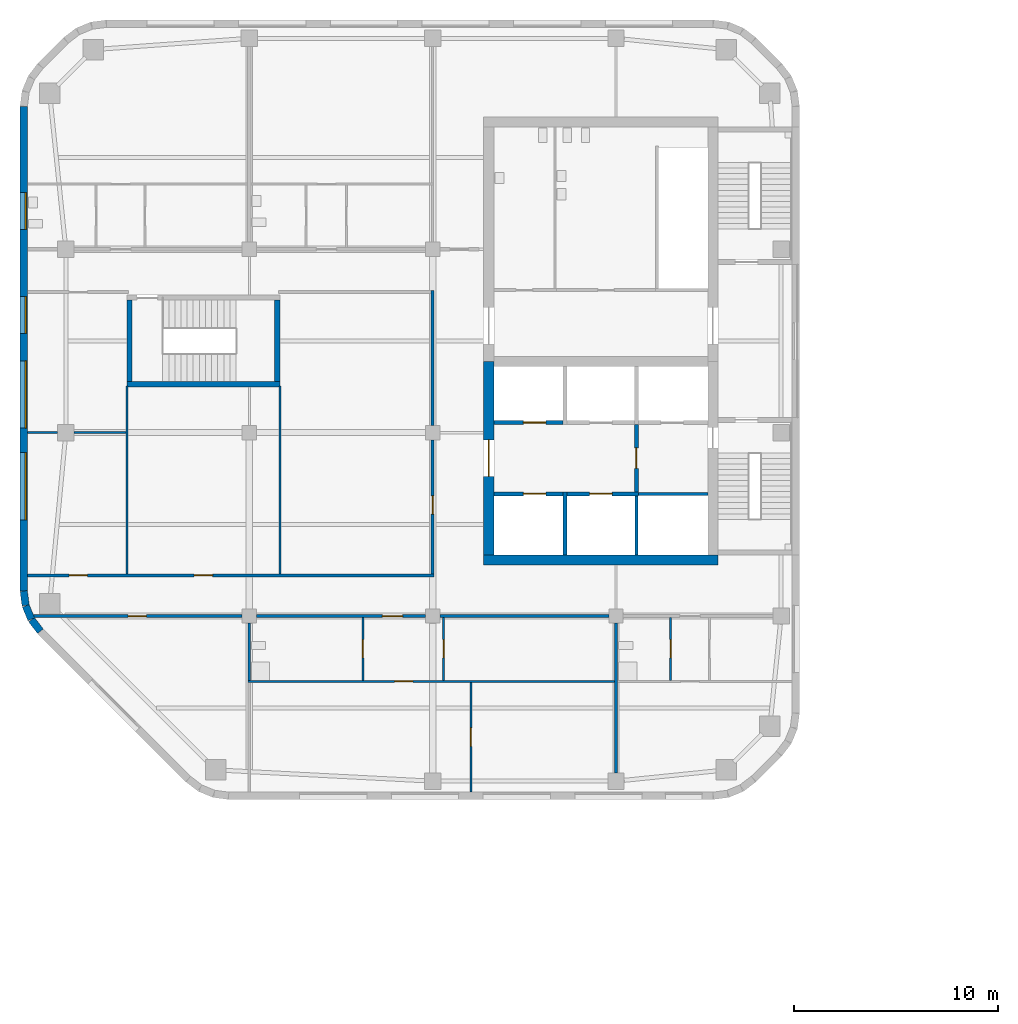
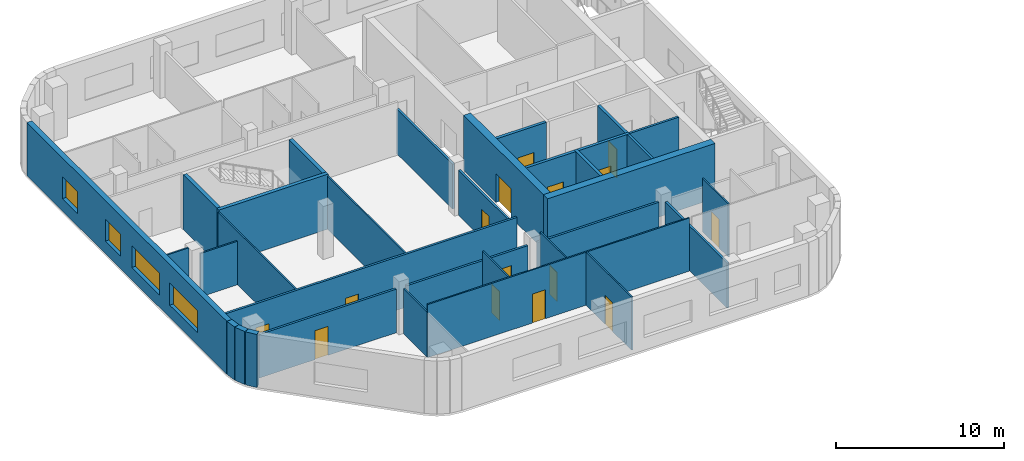
# One storey, part 5 of 15: 33 walls, 15 doors, 4 windows, 19 openings.
"""IFC4 building model written with IfcOpenShell, lengths in metres."""

from ifc_helpers import new_model, si_unit, direction, frame, frame_2d, origin, place, context, subcontext, project, spatial, rectangle, extrude, material, layer, layer_set, type_object, element, fill, save


model = new_model("IFC4")

# Units and contexts
model_context = context("Model", 3, precision=1e-05, world=origin(), true_north=direction((0.0, 1.0)))
body_context = subcontext(model_context, "Body", "Model", "MODEL_VIEW")
ifc_project = project(units=[si_unit("LENGTHUNIT", "METRE"), si_unit("AREAUNIT", "SQUARE_METRE"), si_unit("VOLUMEUNIT", "CUBIC_METRE"), si_unit("PLANEANGLEUNIT", "RADIAN"), si_unit("MASSUNIT", "GRAM", prefix="KILO")], contexts=[model_context])

# Site, building, storey
site_placement = place(None, origin())
site = spatial("IfcSite", under=ifc_project, at=site_placement, CompositionType="ELEMENT")
building_placement = place(site_placement, origin())
building = spatial("IfcBuilding", under=site, at=building_placement, Name="Cinnabar Reach Civic Tower", CompositionType="ELEMENT")
storey_placement = place(building_placement, frame((0.0, 0.0, 63.0)))
storey = spatial("IfcBuildingStorey", under=building, at=storey_placement, Name="L14", CompositionType="ELEMENT", Elevation=63.0)

# Walls
ifc_material_1 = material(Name="Facing brick with insulated backing", Category="masonry")
ifc_layer_1 = layer(ifc_material_1, 0.36)
ifc_layer_set_1 = layer_set([ifc_layer_1], Name="Brick corner wall")
wall_type_1 = type_object("IfcWallType", Name="Brick corner wall", PredefinedType="STANDARD", material=ifc_layer_set_1)
for number, where, z_axis, x_axis, name in (
    (1, (-65.067, 19.2314, 0.0), (0.0, 0.0, 1.0), (0.13055608231, -0.99144092581, 0.0), "Brick corner wall"),
    (2, (-64.9681, 18.5027, 0.0), (0.0, 0.0, 1.0), (0.382702709855, -0.923871547278, 0.0), "Brick corner wall"),
):
    element("IfcWall", number, at=place(storey_placement, frame(where, z_axis=z_axis, x_axis=x_axis)), inside=storey, type_object=wall_type_1, Name=name, PredefinedType="STANDARD", context=body_context, shape_type="SweptSolid", body=[
        extrude(rectangle(XDim=0.7131, YDim=0.36, at=frame_2d((0.3565, 0.0))), origin(), (0.0, 0.0, 1.0), 3.85),
    ])
wall_1_placement = place(storey_placement, frame((-64.684, 17.8245, 0.0), z_axis=(0.0, 0.0, 1.0), x_axis=(0.608802368033, -0.793321924995, 0.0)))
element("IfcWall", 3, at=wall_1_placement, inside=storey, type_object=wall_type_1, Name="Brick corner wall", PredefinedType="STANDARD", context=body_context, shape_type="SweptSolid", body=[
    extrude(rectangle(XDim=0.7132, YDim=0.36, at=frame_2d((0.3566, 0.0))), origin(), (0.0, 0.0, 1.0), 3.85),
])

# Wall, openings, windows
ifc_layer_2 = layer(ifc_material_1, 0.36)
ifc_layer_set_2 = layer_set([ifc_layer_2], Name="Brick pier and spandrel wall")
wall_type_2 = type_object("IfcWallType", Name="Brick pier and spandrel wall", PredefinedType="STANDARD", material=ifc_layer_set_2)
wall_2_placement = place(storey_placement, frame((-65.07, 43.0074, 0.0), z_axis=(0.0, 0.0, 1.0), x_axis=(0.0, -1.0, 0.0)))
wall_2 = element("IfcWall", 4, at=wall_2_placement, inside=storey, type_object=wall_type_2, Name="Brick facade wall", PredefinedType="STANDARD", context=body_context, shape_type="SweptSolid", body=[
    extrude(rectangle(XDim=23.7648, YDim=0.36, at=frame_2d((11.8824, 0.0))), origin(), (0.0, 0.0, 1.0), 3.85),
])
opening_1_placement = place(wall_2_placement, frame((4.2324, 0.0, 0.9)))
opening_1 = element("IfcOpeningElement", 5, at=opening_1_placement, cuts=wall_2, Name="Opening W2546", PredefinedType="OPENING", context=body_context, shape_type="SweptSolid", body=[
    extrude(rectangle(XDim=1.8, YDim=1.6, at=frame_2d((0.9, 0.8))), frame((0.0, 0.19, 0.0), z_axis=(0.0, -1.0, 0.0), x_axis=(1.0, 0.0, 0.0)), (0.0, 0.0, 1.0), 0.38),
])
opening_2_placement = place(wall_2_placement, frame((9.3324, 0.0, 0.9)))
opening_2 = element("IfcOpeningElement", 6, at=opening_2_placement, cuts=wall_2, Name="Opening W2547", PredefinedType="OPENING", context=body_context, shape_type="SweptSolid", body=[
    extrude(rectangle(XDim=1.8, YDim=1.6, at=frame_2d((0.9, 0.8))), frame((0.0, 0.19, 0.0), z_axis=(0.0, -1.0, 0.0), x_axis=(1.0, 0.0, 0.0)), (0.0, 0.0, 1.0), 0.38),
])
opening_3_placement = place(wall_2_placement, frame((12.4824, 0.0, 0.9)))
opening_3 = element("IfcOpeningElement", 7, at=opening_3_placement, cuts=wall_2, Name="Opening W2548", PredefinedType="OPENING", context=body_context, shape_type="SweptSolid", body=[
    extrude(rectangle(XDim=3.3, YDim=1.6, at=frame_2d((1.65, 0.8))), frame((0.0, 0.19, 0.0), z_axis=(0.0, -1.0, 0.0), x_axis=(1.0, 0.0, 0.0)), (0.0, 0.0, 1.0), 0.38),
])
opening_4_placement = place(wall_2_placement, frame((16.9824, 0.0, 0.9)))
opening_4 = element("IfcOpeningElement", 8, at=opening_4_placement, cuts=wall_2, Name="Opening W2549", PredefinedType="OPENING", context=body_context, shape_type="SweptSolid", body=[
    extrude(rectangle(XDim=3.3, YDim=1.6, at=frame_2d((1.65, 0.8))), frame((0.0, 0.19, 0.0), z_axis=(0.0, -1.0, 0.0), x_axis=(1.0, 0.0, 0.0)), (0.0, 0.0, 1.0), 0.38),
])
ifc_material_2 = material(Name="Clear double glazing in aluminium frame", Category="aluminium")
window_type_1 = type_object("IfcWindowType", Name="Deep-set window A", PartitioningType="SINGLE_PANEL", PredefinedType="WINDOW", material=ifc_material_2)
window_1_placement = place(opening_3_placement, origin())
window_1 = element("IfcWindow", 9, at=window_1_placement, inside=storey, type_object=window_type_1, Name="Window west face", OverallHeight=1.6, OverallWidth=3.3, PartitioningType="SINGLE_PANEL", PredefinedType="WINDOW", context=body_context, shape_type="SweptSolid", body=[
    extrude(rectangle(XDim=3.3, YDim=1.6, at=frame_2d((1.65, 0.8))), frame((0.0, 0.13, 0.0), z_axis=(0.0, -1.0, 0.0), x_axis=(1.0, 0.0, 0.0)), (0.0, 0.0, 1.0), 0.06),
])
fill(opening_3, window_1)
window_2_placement = place(opening_4_placement, origin())
window_2 = element("IfcWindow", 10, at=window_2_placement, inside=storey, type_object=window_type_1, Name="Window west face", OverallHeight=1.6, OverallWidth=3.3, PartitioningType="SINGLE_PANEL", PredefinedType="WINDOW", context=body_context, shape_type="SweptSolid", body=[
    extrude(rectangle(XDim=3.3, YDim=1.6, at=frame_2d((1.65, 0.8))), frame((0.0, 0.13, 0.0), z_axis=(0.0, -1.0, 0.0), x_axis=(1.0, 0.0, 0.0)), (0.0, 0.0, 1.0), 0.06),
])
fill(opening_4, window_2)
window_type_2 = type_object("IfcWindowType", Name="Deep-set window D", PartitioningType="SINGLE_PANEL", PredefinedType="WINDOW", material=ifc_material_2)
window_3_placement = place(opening_1_placement, origin())
window_3 = element("IfcWindow", 11, at=window_3_placement, inside=storey, type_object=window_type_2, Name="Window west face", OverallHeight=1.6, OverallWidth=1.8, PartitioningType="SINGLE_PANEL", PredefinedType="WINDOW", context=body_context, shape_type="SweptSolid", body=[
    extrude(rectangle(XDim=1.8, YDim=1.6, at=frame_2d((0.9, 0.8))), frame((0.0, 0.13, 0.0), z_axis=(0.0, -1.0, 0.0), x_axis=(1.0, 0.0, 0.0)), (0.0, 0.0, 1.0), 0.06),
])
fill(opening_1, window_3)
window_4_placement = place(opening_2_placement, origin())
window_4 = element("IfcWindow", 12, at=window_4_placement, inside=storey, type_object=window_type_2, Name="Window west face", OverallHeight=1.6, OverallWidth=1.8, PartitioningType="SINGLE_PANEL", PredefinedType="WINDOW", context=body_context, shape_type="SweptSolid", body=[
    extrude(rectangle(XDim=1.8, YDim=1.6, at=frame_2d((0.9, 0.8))), frame((0.0, 0.13, 0.0), z_axis=(0.0, -1.0, 0.0), x_axis=(1.0, 0.0, 0.0)), (0.0, 0.0, 1.0), 0.06),
])
fill(opening_2, window_4)

# Wall
ifc_material_3 = material(Name="Concrete C60", Category="concrete")
ifc_layer_3 = layer(ifc_material_3, 0.5)
ifc_layer_set_3 = layer_set([ifc_layer_3], Name="Core wall 500 EI 180")
wall_type_3 = type_object("IfcWallType", Name="Core wall 500 EI 180", PredefinedType="SOLIDWALL", material=ifc_layer_set_3)
wall_3_placement = place(storey_placement, frame((-42.5, 20.75, 0.0), z_axis=(0.0, 0.0, 1.0), x_axis=(1.0, 0.0, 0.0)))
element("IfcWall", 13, at=wall_3_placement, inside=storey, type_object=wall_type_3, Name="Core wall T2 L14 S", PredefinedType="SOLIDWALL", context=body_context, shape_type="SweptSolid", body=[
    extrude(rectangle(XDim=11.5, YDim=0.5, at=frame_2d((5.75, 0.0))), origin(), (0.0, 0.0, 1.0), 4.0),
])

# Wall, opening, door
wall_4_placement = place(storey_placement, frame((-42.25, 30.5, 0.0), z_axis=(0.0, 0.0, 1.0), x_axis=(0.0, -1.0, 0.0)))
wall_4 = element("IfcWall", 14, at=wall_4_placement, inside=storey, type_object=wall_type_3, Name="Core wall T2 L14 W2", PredefinedType="SOLIDWALL", context=body_context, shape_type="SweptSolid", body=[
    extrude(rectangle(XDim=9.5, YDim=0.5, at=frame_2d((4.75, 0.0))), origin(), (0.0, 0.0, 1.0), 4.0),
])
opening_5_placement = place(wall_4_placement, frame((3.85, 0.0, 0.0)))
opening_5 = element("IfcOpeningElement", 15, at=opening_5_placement, cuts=wall_4, Name="Opening D6532", PredefinedType="OPENING", context=body_context, shape_type="SweptSolid", body=[
    extrude(rectangle(XDim=1.8, YDim=2.1, at=frame_2d((0.9, 1.05))), frame((0.0, 0.26, 0.0), z_axis=(0.0, -1.0, 0.0), x_axis=(1.0, 0.0, 0.0)), (0.0, 0.0, 1.0), 0.52),
])
ifc_material_4 = material(Name="Steel fire door", Category="steel")
door_type_1 = type_object("IfcDoorType", Name="T2 Double door 1800", OperationType="DOUBLE_DOOR_SINGLE_SWING", PredefinedType="DOOR", material=ifc_material_4)
door_1_placement = place(opening_5_placement, origin())
door_1 = element("IfcDoor", 16, at=door_1_placement, inside=storey, type_object=door_type_1, Name="T2 Double door D6532", OperationType="DOUBLE_DOOR_SINGLE_SWING", OverallHeight=2.1, OverallWidth=1.8, PredefinedType="DOOR", context=body_context, shape_type="SweptSolid", body=[
    extrude(rectangle(XDim=1.8, YDim=2.1, at=frame_2d((0.9, 1.05))), frame((0.0, 0.025, 0.0), z_axis=(0.0, -1.0, 0.0), x_axis=(1.0, 0.0, 0.0)), (0.0, 0.0, 1.0), 0.05),
])
fill(opening_5, door_1)

# Wall
ifc_material_5 = material(Name="Gypsum board on steel studs, double layer", Category="steel")
ifc_layer_4 = layer(ifc_material_5, 0.15)
ifc_layer_set_4 = layer_set([ifc_layer_4], Name="Corridor wall 150 T2")
wall_type_4 = type_object("IfcWallType", Name="Corridor wall 150 T2", PredefinedType="PARTITIONING", material=ifc_layer_set_4)
wall_5_placement = place(storey_placement, frame((-44.65, 18.0, 0.0), z_axis=(0.0, 0.0, 1.0), x_axis=(1.0, 0.0, 0.0)))
element("IfcWall", 17, at=wall_5_placement, inside=storey, type_object=wall_type_4, Name="Corridor wall 2", PredefinedType="PARTITIONING", context=body_context, shape_type="SweptSolid", body=[
    extrude(rectangle(XDim=8.3, YDim=0.15, at=frame_2d((4.15, 0.0))), origin(), (0.0, 0.0, 1.0), 3.158),
])

# Wall, opening, door
wall_6_placement = place(storey_placement, frame((-53.65, 18.0, 0.0), z_axis=(0.0, 0.0, 1.0), x_axis=(1.0, 0.0, 0.0)))
wall_6 = element("IfcWall", 18, at=wall_6_placement, inside=storey, type_object=wall_type_4, Name="Corridor wall 3", PredefinedType="PARTITIONING", context=body_context, shape_type="SweptSolid", body=[
    extrude(rectangle(XDim=8.3, YDim=0.15, at=frame_2d((4.15, 0.0))), origin(), (0.0, 0.0, 1.0), 3.158),
])
opening_6_placement = place(wall_6_placement, frame((6.18, 0.0, 0.0)))
opening_6 = element("IfcOpeningElement", 19, at=opening_6_placement, cuts=wall_6, Name="Opening D6542", PredefinedType="OPENING", context=body_context, shape_type="SweptSolid", body=[
    extrude(rectangle(XDim=1.0, YDim=2.1, at=frame_2d((0.5, 1.05))), frame((0.0, 0.085, 0.0), z_axis=(0.0, -1.0, 0.0), x_axis=(1.0, 0.0, 0.0)), (0.0, 0.0, 1.0), 0.17),
])
ifc_material_6 = material(Name="Timber door leaf in steel frame", Category="steel")
door_type_2 = type_object("IfcDoorType", Name="Tenancy entrance door 1000 x 2100 T2", OperationType="SINGLE_SWING_LEFT", PredefinedType="DOOR", material=ifc_material_6)
door_2_placement = place(opening_6_placement, frame((1.0, 0.0, 0.0), z_axis=(0.0, 0.0, 1.0), x_axis=(-1.0, 0.0, 0.0)))
door_2 = element("IfcDoor", 20, at=door_2_placement, inside=storey, type_object=door_type_2, Name="Door D6542", OperationType="SINGLE_SWING_RIGHT", OverallHeight=2.1, OverallWidth=1.0, PredefinedType="DOOR", context=body_context, shape_type="SweptSolid", body=[
    extrude(rectangle(XDim=1.0, YDim=2.1, at=frame_2d((0.5, 1.05))), frame((0.0, 0.025, 0.0), z_axis=(0.0, -1.0, 0.0), x_axis=(1.0, 0.0, 0.0)), (0.0, 0.0, 1.0), 0.05),
])
fill(opening_6, door_2)

wall_7_placement = place(storey_placement, frame((-64.5961, 18.0, 0.0), z_axis=(0.0, 0.0, 1.0), x_axis=(1.0, 0.0, 0.0)))
wall_7 = element("IfcWall", 21, at=wall_7_placement, inside=storey, type_object=wall_type_4, Name="Corridor wall 4", PredefinedType="PARTITIONING", context=body_context, shape_type="SweptSolid", body=[
    extrude(rectangle(XDim=10.2461, YDim=0.15, at=frame_2d((5.1231, 0.0))), origin(), (0.0, 0.0, 1.0), 3.158),
])
opening_7_placement = place(wall_7_placement, frame((4.65, 0.0, 0.0)))
opening_7 = element("IfcOpeningElement", 22, at=opening_7_placement, cuts=wall_7, Name="Opening D6537", PredefinedType="OPENING", context=body_context, shape_type="SweptSolid", body=[
    extrude(rectangle(XDim=0.9, YDim=2.1, at=frame_2d((0.45, 1.05))), frame((0.0, 0.085, 0.0), z_axis=(0.0, -1.0, 0.0), x_axis=(1.0, 0.0, 0.0)), (0.0, 0.0, 1.0), 0.17),
])
door_type_3 = type_object("IfcDoorType", Name="Single swing door 900 x 2100 T2", OperationType="SINGLE_SWING_LEFT", PredefinedType="DOOR", material=ifc_material_6)
door_3_placement = place(opening_7_placement, frame((0.9, 0.0, 0.0), z_axis=(0.0, 0.0, 1.0), x_axis=(-1.0, 0.0, 0.0)))
door_3 = element("IfcDoor", 23, at=door_3_placement, inside=storey, type_object=door_type_3, Name="Door D6537", OperationType="SINGLE_SWING_RIGHT", OverallHeight=2.1, OverallWidth=0.9, PredefinedType="DOOR", context=body_context, shape_type="SweptSolid", body=[
    extrude(rectangle(XDim=0.9, YDim=2.1, at=frame_2d((0.45, 1.05))), frame((0.0, 0.025, 0.0), z_axis=(0.0, -1.0, 0.0), x_axis=(1.0, 0.0, 0.0)), (0.0, 0.0, 1.0), 0.05),
])
fill(opening_7, door_3)

# Wall, openings, doors
wall_8_placement = place(storey_placement, frame((-64.89, 20.0, 0.0), z_axis=(0.0, 0.0, 1.0), x_axis=(1.0, 0.0, 0.0)))
wall_8 = element("IfcWall", 24, at=wall_8_placement, inside=storey, type_object=wall_type_4, Name="Corridor wall 9", PredefinedType="PARTITIONING", context=body_context, shape_type="SweptSolid", body=[
    extrude(rectangle(XDim=19.965, YDim=0.15, at=frame_2d((9.9825, 0.0))), origin(), (0.0, 0.0, 1.0), 3.85),
])
opening_8_placement = place(wall_8_placement, frame((2.05, 0.0, 0.0)))
opening_8 = element("IfcOpeningElement", 25, at=opening_8_placement, cuts=wall_8, Name="Opening D6555", PredefinedType="OPENING", context=body_context, shape_type="SweptSolid", body=[
    extrude(rectangle(XDim=0.9, YDim=2.1, at=frame_2d((0.45, 1.05))), frame((0.0, 0.085, 0.0), z_axis=(0.0, -1.0, 0.0), x_axis=(1.0, 0.0, 0.0)), (0.0, 0.0, 1.0), 0.17),
])
opening_9_placement = place(wall_8_placement, frame((8.19, 0.0, 0.0)))
opening_9 = element("IfcOpeningElement", 26, at=opening_9_placement, cuts=wall_8, Name="Opening D6557", PredefinedType="OPENING", context=body_context, shape_type="SweptSolid", body=[
    extrude(rectangle(XDim=0.9, YDim=2.1, at=frame_2d((0.45, 1.05))), frame((0.0, 0.085, 0.0), z_axis=(0.0, -1.0, 0.0), x_axis=(1.0, 0.0, 0.0)), (0.0, 0.0, 1.0), 0.17),
])
door_4_placement = place(opening_8_placement, origin())
door_4 = element("IfcDoor", 27, at=door_4_placement, inside=storey, type_object=door_type_3, Name="Door D6555", OperationType="SINGLE_SWING_RIGHT", OverallHeight=2.1, OverallWidth=0.9, PredefinedType="DOOR", context=body_context, shape_type="SweptSolid", body=[
    extrude(rectangle(XDim=0.9, YDim=2.1, at=frame_2d((0.45, 1.05))), frame((0.0, 0.025, 0.0), z_axis=(0.0, -1.0, 0.0), x_axis=(1.0, 0.0, 0.0)), (0.0, 0.0, 1.0), 0.05),
])
fill(opening_8, door_4)
door_5_placement = place(opening_9_placement, origin())
door_5 = element("IfcDoor", 28, at=door_5_placement, inside=storey, type_object=door_type_3, Name="Door D6557", OperationType="SINGLE_SWING_RIGHT", OverallHeight=2.1, OverallWidth=0.9, PredefinedType="DOOR", context=body_context, shape_type="SweptSolid", body=[
    extrude(rectangle(XDim=0.9, YDim=2.1, at=frame_2d((0.45, 1.05))), frame((0.0, 0.025, 0.0), z_axis=(0.0, -1.0, 0.0), x_axis=(1.0, 0.0, 0.0)), (0.0, 0.0, 1.0), 0.05),
])
fill(opening_9, door_5)

# Wall, opening, door
wall_9_placement = place(storey_placement, frame((-45.0, 20.075, 0.0), z_axis=(0.0, 0.0, 1.0), x_axis=(0.0, 1.0, 0.0)))
wall_9 = element("IfcWall", 29, at=wall_9_placement, inside=storey, type_object=wall_type_4, Name="Corridor wall 10", PredefinedType="PARTITIONING", context=body_context, shape_type="SweptSolid", body=[
    extrude(rectangle(XDim=6.575, YDim=0.15, at=frame_2d((3.2875, 0.0))), origin(), (0.0, 0.0, 1.0), 3.256),
])
opening_10_placement = place(wall_9_placement, frame((2.925, 0.0, 0.0)))
opening_10 = element("IfcOpeningElement", 30, at=opening_10_placement, cuts=wall_9, Name="Opening D6558", PredefinedType="OPENING", context=body_context, shape_type="SweptSolid", body=[
    extrude(rectangle(XDim=0.9, YDim=2.1, at=frame_2d((0.45, 1.05))), frame((0.0, 0.085, 0.0), z_axis=(0.0, -1.0, 0.0), x_axis=(1.0, 0.0, 0.0)), (0.0, 0.0, 1.0), 0.17),
])
door_6_placement = place(opening_10_placement, origin())
door_6 = element("IfcDoor", 31, at=door_6_placement, inside=storey, type_object=door_type_3, Name="Door D6558", OperationType="SINGLE_SWING_LEFT", OverallHeight=2.1, OverallWidth=0.9, PredefinedType="DOOR", context=body_context, shape_type="SweptSolid", body=[
    extrude(rectangle(XDim=0.9, YDim=2.1, at=frame_2d((0.45, 1.05))), frame((0.0, 0.025, 0.0), z_axis=(0.0, -1.0, 0.0), x_axis=(1.0, 0.0, 0.0)), (0.0, 0.0, 1.0), 0.05),
])
fill(opening_10, door_6)

# Wall
wall_10_placement = place(storey_placement, frame((-45.0, 27.35, 0.0), z_axis=(0.0, 0.0, 1.0), x_axis=(0.0, 1.0, 0.0)))
element("IfcWall", 32, at=wall_10_placement, inside=storey, type_object=wall_type_4, Name="Corridor wall 11", PredefinedType="PARTITIONING", context=body_context, shape_type="SweptSolid", body=[
    extrude(rectangle(XDim=6.625, YDim=0.15, at=frame_2d((3.3125, 0.0))), origin(), (0.0, 0.0, 1.0), 3.256),
])

# Wall, opening, door
ifc_material_7 = material(Name="Gypsum board on steel studs", Category="steel")
ifc_layer_5 = layer(ifc_material_7, 0.1)
ifc_layer_set_5 = layer_set([ifc_layer_5], Name="Partition wall 100 T2")
wall_type_5 = type_object("IfcWallType", Name="Partition wall 100 T2", PredefinedType="PARTITIONING", material=ifc_layer_set_5)
wall_11_placement = place(storey_placement, frame((-54.05, 14.8, 0.0), z_axis=(0.0, 0.0, 1.0), x_axis=(1.0, 0.0, 0.0)))
wall_11 = element("IfcWall", 33, at=wall_11_placement, inside=storey, type_object=wall_type_5, Name="Partition wall 16", PredefinedType="PARTITIONING", context=body_context, shape_type="SweptSolid", body=[
    extrude(rectangle(XDim=17.975, YDim=0.1, at=frame_2d((8.9875, 0.0))), origin(), (0.0, 0.0, 1.0), 3.85),
])
opening_11_placement = place(wall_11_placement, frame((7.18, 0.0, 0.0)))
opening_11 = element("IfcOpeningElement", 34, at=opening_11_placement, cuts=wall_11, Name="Opening D6540", PredefinedType="OPENING", context=body_context, shape_type="SweptSolid", body=[
    extrude(rectangle(XDim=0.9, YDim=2.1, at=frame_2d((0.45, 1.05))), frame((0.0, 0.06, 0.0), z_axis=(0.0, -1.0, 0.0), x_axis=(1.0, 0.0, 0.0)), (0.0, 0.0, 1.0), 0.12),
])
door_7_placement = place(opening_11_placement, origin())
door_7 = element("IfcDoor", 35, at=door_7_placement, inside=storey, type_object=door_type_3, Name="Door D6540", OperationType="SINGLE_SWING_RIGHT", OverallHeight=2.1, OverallWidth=0.9, PredefinedType="DOOR", context=body_context, shape_type="SweptSolid", body=[
    extrude(rectangle(XDim=0.9, YDim=2.1, at=frame_2d((0.45, 1.05))), frame((0.0, 0.025, 0.0), z_axis=(0.0, -1.0, 0.0), x_axis=(1.0, 0.0, 0.0)), (0.0, 0.0, 1.0), 0.05),
])
fill(opening_11, door_7)

# Walls
for number, where, z_axis, x_axis, name in (
    (36, (-60.0, 20.075, 0.0), (0.0, 0.0, 1.0), (0.0, 1.0, 0.0), "Partition wall 22"),
    (37, (-52.5, 20.075, 0.0), (0.0, 0.0, 1.0), (0.0, 1.0, 0.0), "Partition wall 23"),
):
    element("IfcWall", number, at=place(storey_placement, frame(where, z_axis=z_axis, x_axis=x_axis)), inside=storey, type_object=wall_type_5, Name=name, PredefinedType="PARTITIONING", context=body_context, shape_type="SweptSolid", body=[
        extrude(rectangle(XDim=9.225, YDim=0.1, at=frame_2d((4.6125, 0.0))), origin(), (0.0, 0.0, 1.0), 3.85),
    ])
wall_12_placement = place(storey_placement, frame((-54.0, 14.85, 0.0), z_axis=(0.0, 0.0, 1.0), x_axis=(0.0, 1.0, 0.0)))
element("IfcWall", 38, at=wall_12_placement, inside=storey, type_object=wall_type_5, Name="Partition wall 25", PredefinedType="PARTITIONING", context=body_context, shape_type="SweptSolid", body=[
    extrude(rectangle(XDim=2.8, YDim=0.1, at=frame_2d((1.4, 0.0))), origin(), (0.0, 0.0, 1.0), 3.256),
])

# Wall, opening, door
wall_13_placement = place(storey_placement, frame((-43.13, 9.36, 0.0), z_axis=(0.0, 0.0, 1.0), x_axis=(0.0, 1.0, 0.0)))
wall_13 = element("IfcWall", 39, at=wall_13_placement, inside=storey, type_object=wall_type_5, Name="Partition wall 26", PredefinedType="PARTITIONING", context=body_context, shape_type="SweptSolid", body=[
    extrude(rectangle(XDim=5.39, YDim=0.1, at=frame_2d((2.695, 0.0))), origin(), (0.0, 0.0, 1.0), 3.85),
])
opening_12_placement = place(wall_13_placement, frame((2.25, 0.0, 0.0)))
opening_12 = element("IfcOpeningElement", 40, at=opening_12_placement, cuts=wall_13, Name="Opening D6541", PredefinedType="OPENING", context=body_context, shape_type="SweptSolid", body=[
    extrude(rectangle(XDim=0.9, YDim=2.1, at=frame_2d((0.45, 1.05))), frame((0.0, 0.06, 0.0), z_axis=(0.0, -1.0, 0.0), x_axis=(1.0, 0.0, 0.0)), (0.0, 0.0, 1.0), 0.12),
])
door_8_placement = place(opening_12_placement, frame((0.9, 0.0, 0.0), z_axis=(0.0, 0.0, 1.0), x_axis=(-1.0, 0.0, 0.0)))
door_8 = element("IfcDoor", 41, at=door_8_placement, inside=storey, type_object=door_type_3, Name="Door D6541", OperationType="SINGLE_SWING_RIGHT", OverallHeight=2.1, OverallWidth=0.9, PredefinedType="DOOR", context=body_context, shape_type="SweptSolid", body=[
    extrude(rectangle(XDim=0.9, YDim=2.1, at=frame_2d((0.45, 1.05))), frame((0.0, 0.025, 0.0), z_axis=(0.0, -1.0, 0.0), x_axis=(1.0, 0.0, 0.0)), (0.0, 0.0, 1.0), 0.05),
])
fill(opening_12, door_8)

# Walls
wall_14_placement = place(storey_placement, frame((-62.6, 27.0, 0.0), z_axis=(0.0, 0.0, 1.0), x_axis=(1.0, 0.0, 0.0)))
element("IfcWall", 42, at=wall_14_placement, inside=storey, type_object=wall_type_5, Name="Partition wall 27", PredefinedType="PARTITIONING", context=body_context, shape_type="SweptSolid", body=[
    extrude(rectangle(XDim=2.55, YDim=0.1, at=frame_2d((1.275, 0.0))), origin(), (0.0, 0.0, 1.0), 3.158),
])
wall_15_placement = place(storey_placement, frame((-64.89, 27.0, 0.0), z_axis=(0.0, 0.0, 1.0), x_axis=(1.0, 0.0, 0.0)))
element("IfcWall", 43, at=wall_15_placement, inside=storey, type_object=wall_type_5, Name="Partition wall 28", PredefinedType="PARTITIONING", context=body_context, shape_type="SweptSolid", body=[
    extrude(rectangle(XDim=1.49, YDim=0.1, at=frame_2d((0.745, 0.0))), origin(), (0.0, 0.0, 1.0), 3.85),
])

# Wall, opening, door
wall_16_placement = place(storey_placement, frame((-48.42, 14.85, 0.0), z_axis=(0.0, 0.0, 1.0), x_axis=(0.0, 1.0, 0.0)))
wall_16 = element("IfcWall", 44, at=wall_16_placement, inside=storey, type_object=wall_type_5, Name="Partition wall 33", PredefinedType="PARTITIONING", context=body_context, shape_type="SweptSolid", body=[
    extrude(rectangle(XDim=3.075, YDim=0.1, at=frame_2d((1.5375, 0.0))), origin(), (0.0, 0.0, 1.0), 3.85),
])
opening_13_placement = place(wall_16_placement, frame((1.1, 0.0, 0.0)))
opening_13 = element("IfcOpeningElement", 45, at=opening_13_placement, cuts=wall_16, Name="Opening D6538", PredefinedType="OPENING", context=body_context, shape_type="SweptSolid", body=[
    extrude(rectangle(XDim=0.9, YDim=2.1, at=frame_2d((0.45, 1.05))), frame((0.0, 0.06, 0.0), z_axis=(0.0, -1.0, 0.0), x_axis=(1.0, 0.0, 0.0)), (0.0, 0.0, 1.0), 0.12),
])
door_9_placement = place(opening_13_placement, origin())
door_9 = element("IfcDoor", 46, at=door_9_placement, inside=storey, type_object=door_type_3, Name="Door D6538", OperationType="SINGLE_SWING_LEFT", OverallHeight=2.1, OverallWidth=0.9, PredefinedType="DOOR", context=body_context, shape_type="SweptSolid", body=[
    extrude(rectangle(XDim=0.9, YDim=2.1, at=frame_2d((0.45, 1.05))), frame((0.0, 0.025, 0.0), z_axis=(0.0, -1.0, 0.0), x_axis=(1.0, 0.0, 0.0)), (0.0, 0.0, 1.0), 0.05),
])
fill(opening_13, door_9)

wall_17_placement = place(storey_placement, frame((-44.46, 14.85, 0.0), z_axis=(0.0, 0.0, 1.0), x_axis=(0.0, 1.0, 0.0)))
wall_17 = element("IfcWall", 47, at=wall_17_placement, inside=storey, type_object=wall_type_5, Name="Partition wall 34", PredefinedType="PARTITIONING", context=body_context, shape_type="SweptSolid", body=[
    extrude(rectangle(XDim=3.075, YDim=0.1, at=frame_2d((1.5375, 0.0))), origin(), (0.0, 0.0, 1.0), 3.85),
])
opening_14_placement = place(wall_17_placement, frame((1.1, 0.0, 0.0)))
opening_14 = element("IfcOpeningElement", 48, at=opening_14_placement, cuts=wall_17, Name="Opening D6539", PredefinedType="OPENING", context=body_context, shape_type="SweptSolid", body=[
    extrude(rectangle(XDim=0.9, YDim=2.1, at=frame_2d((0.45, 1.05))), frame((0.0, 0.06, 0.0), z_axis=(0.0, -1.0, 0.0), x_axis=(1.0, 0.0, 0.0)), (0.0, 0.0, 1.0), 0.12),
])
door_10_placement = place(opening_14_placement, origin())
door_10 = element("IfcDoor", 49, at=door_10_placement, inside=storey, type_object=door_type_3, Name="Door D6539", OperationType="SINGLE_SWING_RIGHT", OverallHeight=2.1, OverallWidth=0.9, PredefinedType="DOOR", context=body_context, shape_type="SweptSolid", body=[
    extrude(rectangle(XDim=0.9, YDim=2.1, at=frame_2d((0.45, 1.05))), frame((0.0, 0.025, 0.0), z_axis=(0.0, -1.0, 0.0), x_axis=(1.0, 0.0, 0.0)), (0.0, 0.0, 1.0), 0.05),
])
fill(opening_14, door_10)

wall_18_placement = place(storey_placement, frame((-33.3216, 14.85, 0.0), z_axis=(0.0, 0.0, 1.0), x_axis=(0.0, 1.0, 0.0)))
wall_18 = element("IfcWall", 50, at=wall_18_placement, inside=storey, type_object=wall_type_5, Name="Partition wall 35", PredefinedType="PARTITIONING", context=body_context, shape_type="SweptSolid", body=[
    extrude(rectangle(XDim=3.075, YDim=0.1, at=frame_2d((1.5375, 0.0))), origin(), (0.0, 0.0, 1.0), 3.85),
])
opening_15_placement = place(wall_18_placement, frame((1.1, 0.0, 0.0)))
opening_15 = element("IfcOpeningElement", 51, at=opening_15_placement, cuts=wall_18, Name="Opening D6543", PredefinedType="OPENING", context=body_context, shape_type="SweptSolid", body=[
    extrude(rectangle(XDim=0.9, YDim=2.1, at=frame_2d((0.45, 1.05))), frame((0.0, 0.06, 0.0), z_axis=(0.0, -1.0, 0.0), x_axis=(1.0, 0.0, 0.0)), (0.0, 0.0, 1.0), 0.12),
])
door_11_placement = place(opening_15_placement, origin())
door_11 = element("IfcDoor", 52, at=door_11_placement, inside=storey, type_object=door_type_3, Name="Door D6543", OperationType="SINGLE_SWING_RIGHT", OverallHeight=2.1, OverallWidth=0.9, PredefinedType="DOOR", context=body_context, shape_type="SweptSolid", body=[
    extrude(rectangle(XDim=0.9, YDim=2.1, at=frame_2d((0.45, 1.05))), frame((0.0, 0.025, 0.0), z_axis=(0.0, -1.0, 0.0), x_axis=(1.0, 0.0, 0.0)), (0.0, 0.0, 1.0), 0.05),
])
fill(opening_15, door_11)

# Walls
ifc_layer_6 = layer(ifc_material_3, 0.25)
ifc_layer_set_6 = layer_set([ifc_layer_6], Name="Stair shaft wall 250 EI 120")
wall_type_6 = type_object("IfcWallType", Name="Stair shaft wall 250 EI 120", PredefinedType="SOLIDWALL", material=ifc_layer_set_6)
wall_19_placement = place(storey_placement, frame((-60.0, 29.375, 0.0), z_axis=(0.0, 0.0, 1.0), x_axis=(1.0, 0.0, 0.0)))
element("IfcWall", 53, at=wall_19_placement, inside=storey, type_object=wall_type_6, Name="Stair shaft wall T2-S3 L14", PredefinedType="SOLIDWALL", context=body_context, shape_type="SweptSolid", body=[
    extrude(rectangle(XDim=7.5, YDim=0.25, at=frame_2d((3.75, 0.0))), origin(), (0.0, 0.0, 1.0), 4.0),
])
for number, where, z_axis, x_axis, name in (
    (54, (-52.625, 29.5, 0.0), (0.0, 0.0, 1.0), (0.0, 1.0, 0.0), "Stair shaft wall T2-S3 L14"),
    (55, (-59.875, 33.5, 0.0), (0.0, 0.0, 1.0), (0.0, -1.0, 0.0), "Stair shaft wall T2-S3 L14"),
):
    element("IfcWall", number, at=place(storey_placement, frame(where, z_axis=z_axis, x_axis=x_axis)), inside=storey, type_object=wall_type_6, Name=name, PredefinedType="SOLIDWALL", context=body_context, shape_type="SweptSolid", body=[
        extrude(rectangle(XDim=4.0, YDim=0.25, at=frame_2d((2.0, 0.0))), origin(), (0.0, 0.0, 1.0), 4.0),
    ])
ifc_material_8 = material(Name="Concrete C40", Category="concrete")
ifc_layer_7 = layer(ifc_material_8, 0.15)
ifc_layer_set_7 = layer_set([ifc_layer_7], Name="T2 Riser wall 150")
wall_type_7 = type_object("IfcWallType", Name="T2 Riser wall 150", PredefinedType="SOLIDWALL", material=ifc_layer_set_7)
wall_20_placement = place(storey_placement, frame((-35.0, 21.0, 0.0), z_axis=(0.0, 0.0, 1.0), x_axis=(0.0, 1.0, 0.0)))
element("IfcWall", 56, at=wall_20_placement, inside=storey, type_object=wall_type_7, Name="T2 Riser wall L14 010", PredefinedType="SOLIDWALL", context=body_context, shape_type="SweptSolid", body=[
    extrude(rectangle(XDim=2.9, YDim=0.15, at=frame_2d((1.45, 0.0))), origin(), (0.0, 0.0, 1.0), 4.0),
])
wall_21_placement = place(storey_placement, frame((-31.5, 24.0, 0.0), z_axis=(0.0, 0.0, 1.0), x_axis=(-1.0, 0.0, 0.0)))
element("IfcWall", 57, at=wall_21_placement, inside=storey, type_object=wall_type_7, Name="T2 Riser wall L14 011", PredefinedType="SOLIDWALL", context=body_context, shape_type="SweptSolid", body=[
    extrude(rectangle(XDim=3.4, YDim=0.15, at=frame_2d((1.7, 0.0))), origin(), (0.0, 0.0, 1.0), 4.0),
])
ifc_layer_8 = layer(ifc_material_8, 0.2)
ifc_layer_set_8 = layer_set([ifc_layer_8], Name="T2 Shaft wall 200")
wall_type_8 = type_object("IfcWallType", Name="T2 Shaft wall 200", PredefinedType="SOLIDWALL", material=ifc_layer_set_8)
wall_22_placement = place(storey_placement, frame((-38.5, 21.0, 0.0), z_axis=(0.0, 0.0, 1.0), x_axis=(0.0, 1.0, 0.0)))
element("IfcWall", 58, at=wall_22_placement, inside=storey, type_object=wall_type_8, Name="T2 Shaft wall L14 001", PredefinedType="SOLIDWALL", context=body_context, shape_type="SweptSolid", body=[
    extrude(rectangle(XDim=3.1, YDim=0.2, at=frame_2d((1.55, 0.0))), origin(), (0.0, 0.0, 1.0), 4.0),
])

# Wall, opening, door
wall_23_placement = place(storey_placement, frame((-38.6, 24.0, 0.0), z_axis=(0.0, 0.0, 1.0), x_axis=(-1.0, 0.0, 0.0)))
wall_23 = element("IfcWall", 59, at=wall_23_placement, inside=storey, type_object=wall_type_8, Name="T2 Shaft wall L14 002", PredefinedType="SOLIDWALL", context=body_context, shape_type="SweptSolid", body=[
    extrude(rectangle(XDim=3.4, YDim=0.2, at=frame_2d((1.7, 0.0))), origin(), (0.0, 0.0, 1.0), 4.0),
])
opening_16_placement = place(wall_23_placement, frame((0.85, 0.0, 0.0)))
opening_16 = element("IfcOpeningElement", 60, at=opening_16_placement, cuts=wall_23, Name="Opening D6522", PredefinedType="OPENING", context=body_context, shape_type="SweptSolid", body=[
    extrude(rectangle(XDim=1.1, YDim=2.1, at=frame_2d((0.55, 1.05))), frame((0.0, 0.11, 0.0), z_axis=(0.0, -1.0, 0.0), x_axis=(1.0, 0.0, 0.0)), (0.0, 0.0, 1.0), 0.22),
])
door_type_4 = type_object("IfcDoorType", Name="T2 Lift landing door 1100", OperationType="SLIDING_TO_LEFT", PredefinedType="DOOR", material=ifc_material_4)
door_12_placement = place(opening_16_placement, origin())
door_12 = element("IfcDoor", 61, at=door_12_placement, inside=storey, type_object=door_type_4, Name="T2 Lift landing door D6522", OperationType="SLIDING_TO_LEFT", OverallHeight=2.1, OverallWidth=1.1, PredefinedType="DOOR", context=body_context, shape_type="SweptSolid", body=[
    extrude(rectangle(XDim=1.1, YDim=2.1, at=frame_2d((0.55, 1.05))), frame((0.0, 0.025, 0.0), z_axis=(0.0, -1.0, 0.0), x_axis=(1.0, 0.0, 0.0)), (0.0, 0.0, 1.0), 0.05),
])
fill(opening_16, door_12)

wall_24_placement = place(storey_placement, frame((-34.9, 24.0, 0.0), z_axis=(0.0, 0.0, 1.0), x_axis=(-1.0, 0.0, 0.0)))
wall_24 = element("IfcWall", 62, at=wall_24_placement, inside=storey, type_object=wall_type_8, Name="T2 Shaft wall L14 003", PredefinedType="SOLIDWALL", context=body_context, shape_type="SweptSolid", body=[
    extrude(rectangle(XDim=3.5, YDim=0.2, at=frame_2d((1.75, 0.0))), origin(), (0.0, 0.0, 1.0), 4.0),
])
opening_17_placement = place(wall_24_placement, frame((1.3, 0.0, 0.0)))
opening_17 = element("IfcOpeningElement", 63, at=opening_17_placement, cuts=wall_24, Name="Opening D6523", PredefinedType="OPENING", context=body_context, shape_type="SweptSolid", body=[
    extrude(rectangle(XDim=1.1, YDim=2.1, at=frame_2d((0.55, 1.05))), frame((0.0, 0.11, 0.0), z_axis=(0.0, -1.0, 0.0), x_axis=(1.0, 0.0, 0.0)), (0.0, 0.0, 1.0), 0.22),
])
door_13_placement = place(opening_17_placement, origin())
door_13 = element("IfcDoor", 64, at=door_13_placement, inside=storey, type_object=door_type_4, Name="T2 Lift landing door D6523", OperationType="SLIDING_TO_LEFT", OverallHeight=2.1, OverallWidth=1.1, PredefinedType="DOOR", context=body_context, shape_type="SweptSolid", body=[
    extrude(rectangle(XDim=1.1, YDim=2.1, at=frame_2d((0.55, 1.05))), frame((0.0, 0.025, 0.0), z_axis=(0.0, -1.0, 0.0), x_axis=(1.0, 0.0, 0.0)), (0.0, 0.0, 1.0), 0.05),
])
fill(opening_17, door_13)

wall_25_placement = place(storey_placement, frame((-42.0, 27.5, 0.0), z_axis=(0.0, 0.0, 1.0), x_axis=(1.0, 0.0, 0.0)))
wall_25 = element("IfcWall", 65, at=wall_25_placement, inside=storey, type_object=wall_type_8, Name="T2 Shaft wall L14 005", PredefinedType="SOLIDWALL", context=body_context, shape_type="SweptSolid", body=[
    extrude(rectangle(XDim=3.4, YDim=0.2, at=frame_2d((1.7, 0.0))), origin(), (0.0, 0.0, 1.0), 4.0),
])
opening_18_placement = place(wall_25_placement, frame((1.45, 0.0, 0.0)))
opening_18 = element("IfcOpeningElement", 66, at=opening_18_placement, cuts=wall_25, Name="Opening D6524", PredefinedType="OPENING", context=body_context, shape_type="SweptSolid", body=[
    extrude(rectangle(XDim=1.1, YDim=2.1, at=frame_2d((0.55, 1.05))), frame((0.0, 0.11, 0.0), z_axis=(0.0, -1.0, 0.0), x_axis=(1.0, 0.0, 0.0)), (0.0, 0.0, 1.0), 0.22),
])
door_14_placement = place(opening_18_placement, origin())
door_14 = element("IfcDoor", 67, at=door_14_placement, inside=storey, type_object=door_type_4, Name="T2 Lift landing door D6524", OperationType="SLIDING_TO_LEFT", OverallHeight=2.1, OverallWidth=1.1, PredefinedType="DOOR", context=body_context, shape_type="SweptSolid", body=[
    extrude(rectangle(XDim=1.1, YDim=2.1, at=frame_2d((0.55, 1.05))), frame((0.0, 0.025, 0.0), z_axis=(0.0, -1.0, 0.0), x_axis=(1.0, 0.0, 0.0)), (0.0, 0.0, 1.0), 0.05),
])
fill(opening_18, door_14)

wall_26_placement = place(storey_placement, frame((-35.0, 24.1, 0.0), z_axis=(0.0, 0.0, 1.0), x_axis=(0.0, 1.0, 0.0)))
wall_26 = element("IfcWall", 68, at=wall_26_placement, inside=storey, type_object=wall_type_8, Name="T2 Shaft wall L14 009", PredefinedType="SOLIDWALL", context=body_context, shape_type="SweptSolid", body=[
    extrude(rectangle(XDim=3.3, YDim=0.2, at=frame_2d((1.65, 0.0))), origin(), (0.0, 0.0, 1.0), 4.0),
])
opening_19_placement = place(wall_26_placement, frame((1.15, 0.0, 0.0)))
opening_19 = element("IfcOpeningElement", 69, at=opening_19_placement, cuts=wall_26, Name="Opening D6527", PredefinedType="OPENING", context=body_context, shape_type="SweptSolid", body=[
    extrude(rectangle(XDim=1.0, YDim=2.1, at=frame_2d((0.5, 1.05))), frame((0.0, 0.11, 0.0), z_axis=(0.0, -1.0, 0.0), x_axis=(1.0, 0.0, 0.0)), (0.0, 0.0, 1.0), 0.22),
])
door_type_5 = type_object("IfcDoorType", Name="T2 Firefighting lobby door 1000", OperationType="SINGLE_SWING_LEFT", PredefinedType="DOOR", material=ifc_material_4)
door_15_placement = place(opening_19_placement, origin())
door_15 = element("IfcDoor", 70, at=door_15_placement, inside=storey, type_object=door_type_5, Name="T2 Firefighting lobby door D6527", OperationType="SINGLE_SWING_RIGHT", OverallHeight=2.1, OverallWidth=1.0, PredefinedType="DOOR", context=body_context, shape_type="SweptSolid", body=[
    extrude(rectangle(XDim=1.0, YDim=2.1, at=frame_2d((0.5, 1.05))), frame((0.0, 0.025, 0.0), z_axis=(0.0, -1.0, 0.0), x_axis=(1.0, 0.0, 0.0)), (0.0, 0.0, 1.0), 0.05),
])
fill(opening_19, door_15)

# Wall
ifc_layer_9 = layer(ifc_material_5, 0.15)
ifc_layer_set_9 = layer_set([ifc_layer_9], Name="Tenancy separating wall 150 T2")
wall_type_9 = type_object("IfcWallType", Name="Tenancy separating wall 150 T2", PredefinedType="PARTITIONING", material=ifc_layer_set_9)
wall_27_placement = place(storey_placement, frame((-36.0, 10.3, 0.0), z_axis=(0.0, 0.0, 1.0), x_axis=(0.0, 1.0, 0.0)))
element("IfcWall", 71, at=wall_27_placement, inside=storey, type_object=wall_type_9, Name="Tenancy separating wall 15", PredefinedType="PARTITIONING", context=body_context, shape_type="SweptSolid", body=[
    extrude(rectangle(XDim=7.35, YDim=0.15, at=frame_2d((3.675, 0.0))), origin(), (0.0, 0.0, 1.0), 3.256),
])

save(model, "model.ifc")
